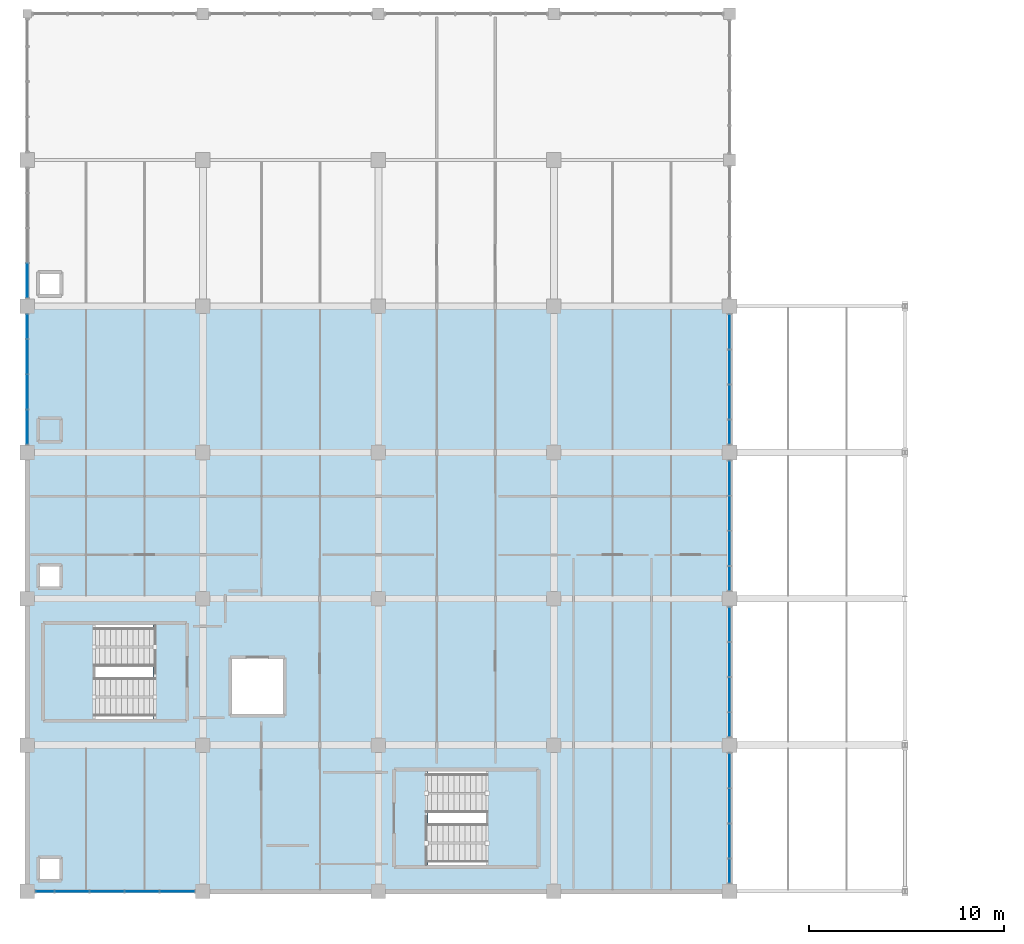
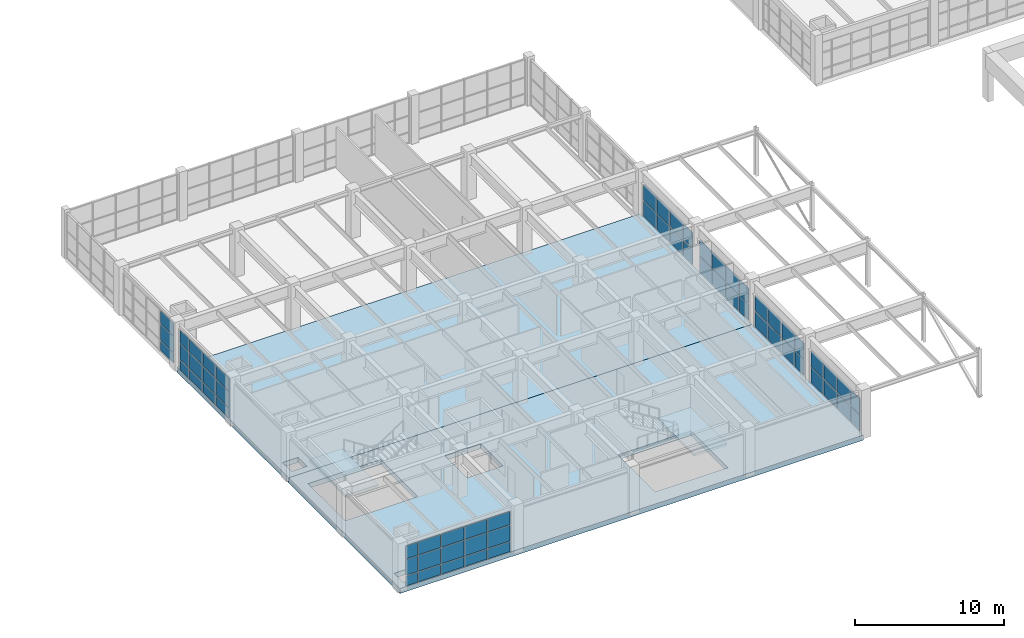
# One storey, part 44 of 76: 62 plates, 4 slabs, 9 elements without a shape of their own.
"""IFC4 building model written with IfcOpenShell, lengths in metres."""

from ifc_helpers import new_model, si_unit, direction, frame, origin, origin_2d, place, context, subcontext, project, spatial, polyline, rectangle, outline, extrude, material, layer, layer_set, type_object, element, aggregate, save


model = new_model("IFC4")

# Units and contexts
model_context = context("Model", 3, precision=1e-05, world=origin(), true_north=direction((0.0, 1.0)))
body_context = subcontext(model_context, "Body", "Model", "MODEL_VIEW")
ifc_project = project(units=[si_unit("LENGTHUNIT", "METRE"), si_unit("AREAUNIT", "SQUARE_METRE"), si_unit("VOLUMEUNIT", "CUBIC_METRE"), si_unit("PLANEANGLEUNIT", "RADIAN"), si_unit("MASSUNIT", "GRAM", prefix="KILO")], contexts=[model_context])

# Site, building, storey
site_placement = place(None, origin())
site = spatial("IfcSite", under=ifc_project, at=site_placement, CompositionType="ELEMENT")
building_placement = place(site_placement, origin())
building = spatial("IfcBuilding", under=site, at=building_placement, Name="Marnridge Secondary College", CompositionType="ELEMENT")
storey_placement = place(building_placement, frame((0.0, 0.0, 4.5)))
storey = spatial("IfcBuildingStorey", under=building, at=storey_placement, Name="L01", CompositionType="ELEMENT", Elevation=4.5)

# Curtain wall, plates
ifc_material_1 = material(Name="Bronze-anodised aluminium and solar-control glazing", Category="aluminium")
ifc_layer_1 = layer(ifc_material_1, 0.199951171875)
ifc_layer_set_1 = layer_set([ifc_layer_1], Name="CW-MOD-1800")
curtain_wall_type = type_object("IfcCurtainWallType", Name="CW-MOD-1800", PredefinedType="NOTDEFINED", material=ifc_layer_set_1)
curtain_wall_1_placement = place(storey_placement, origin())
curtain_wall_1 = element("IfcCurtainWall", 1, at=curtain_wall_1_placement, inside=storey, type_object=curtain_wall_type, Name="Unitised curtain wall CW-L01-065", PredefinedType="NOTDEFINED")
ifc_material_2 = material(Name="Acoustic laminated solar-control double glazing", Category="glass")
ifc_layer_2 = layer(ifc_material_2, 0.035888671875)
ifc_layer_set_2 = layer_set([ifc_layer_2], Name="CWP-GLZ36")
plate_type = type_object("IfcPlateType", Name="CWP-GLZ36", PredefinedType="CURTAIN_PANEL", material=ifc_layer_set_2)
plate_1_placement = place(storey_placement, frame((36.0, 28.68603515625, 0.06494140625), z_axis=(0.0, 0.0, 1.0), x_axis=(0.0, -1.0, 0.0)))
plate_1 = element("IfcPlate", 2, at=plate_1_placement, type_object=plate_type, Name="CW-L01-065 panel 1.1", PredefinedType="CURTAIN_PANEL", context=body_context, shape_type="SweptSolid", body=[
    extrude(rectangle(XDim=1.72998046875, YDim=0.035888671875, at=origin_2d()), origin(), (0.0, 0.0, 1.0), 1.28857421875),
])
plate_2_placement = place(storey_placement, frame((36.0, 28.68603515625, 1.41845703125), z_axis=(0.0, 0.0, 1.0), x_axis=(0.0, -1.0, 0.0)))
plate_2 = element("IfcPlate", 3, at=plate_2_placement, type_object=plate_type, Name="CW-L01-065 panel 1.2", PredefinedType="CURTAIN_PANEL", context=body_context, shape_type="SweptSolid", body=[
    extrude(rectangle(XDim=1.72998046875, YDim=0.035888671875, at=origin_2d()), origin(), (0.0, 0.0, 1.0), 1.28857421875),
])
plate_3_placement = place(storey_placement, frame((36.0, 26.885986328125, 0.06494140625), z_axis=(0.0, 0.0, 1.0), x_axis=(0.0, -1.0, 0.0)))
plate_3 = element("IfcPlate", 4, at=plate_3_placement, type_object=plate_type, Name="CW-L01-065 panel 2.1", PredefinedType="CURTAIN_PANEL", context=body_context, shape_type="SweptSolid", body=[
    extrude(rectangle(XDim=1.72998046875, YDim=0.035888671875, at=origin_2d()), origin(), (0.0, 0.0, 1.0), 1.28857421875),
])
plate_4_placement = place(storey_placement, frame((36.0, 26.885986328125, 1.41845703125), z_axis=(0.0, 0.0, 1.0), x_axis=(0.0, -1.0, 0.0)))
plate_4 = element("IfcPlate", 5, at=plate_4_placement, type_object=plate_type, Name="CW-L01-065 panel 2.2", PredefinedType="CURTAIN_PANEL", context=body_context, shape_type="SweptSolid", body=[
    extrude(rectangle(XDim=1.72998046875, YDim=0.035888671875, at=origin_2d()), origin(), (0.0, 0.0, 1.0), 1.28857421875),
])
plate_5_placement = place(storey_placement, frame((36.0, 25.0859375, 0.06494140625), z_axis=(0.0, 0.0, 1.0), x_axis=(0.0, -1.0, 0.0)))
plate_5 = element("IfcPlate", 6, at=plate_5_placement, type_object=plate_type, Name="CW-L01-065 panel 3.1", PredefinedType="CURTAIN_PANEL", context=body_context, shape_type="SweptSolid", body=[
    extrude(rectangle(XDim=1.72998046875, YDim=0.035888671875, at=origin_2d()), origin(), (0.0, 0.0, 1.0), 1.28857421875),
])
plate_6_placement = place(storey_placement, frame((36.0, 25.0859375, 1.41845703125), z_axis=(0.0, 0.0, 1.0), x_axis=(0.0, -1.0, 0.0)))
plate_6 = element("IfcPlate", 7, at=plate_6_placement, type_object=plate_type, Name="CW-L01-065 panel 3.2", PredefinedType="CURTAIN_PANEL", context=body_context, shape_type="SweptSolid", body=[
    extrude(rectangle(XDim=1.72998046875, YDim=0.035888671875, at=origin_2d()), origin(), (0.0, 0.0, 1.0), 1.28857421875),
])
plate_7_placement = place(storey_placement, frame((36.0, 23.550048828125, 0.06494140625), z_axis=(0.0, 0.0, 1.0), x_axis=(0.0, -1.0, 0.0)))
plate_7 = element("IfcPlate", 8, at=plate_7_placement, type_object=plate_type, Name="CW-L01-065 panel 4.1", PredefinedType="CURTAIN_PANEL", context=body_context, shape_type="SweptSolid", body=[
    extrude(rectangle(XDim=1.201904296875, YDim=0.035888671875, at=origin_2d()), origin(), (0.0, 0.0, 1.0), 1.28857421875),
])
plate_8_placement = place(storey_placement, frame((36.0, 23.550048828125, 1.41845703125), z_axis=(0.0, 0.0, 1.0), x_axis=(0.0, -1.0, 0.0)))
plate_8 = element("IfcPlate", 9, at=plate_8_placement, type_object=plate_type, Name="CW-L01-065 panel 4.2", PredefinedType="CURTAIN_PANEL", context=body_context, shape_type="SweptSolid", body=[
    extrude(rectangle(XDim=1.201904296875, YDim=0.035888671875, at=origin_2d()), origin(), (0.0, 0.0, 1.0), 1.28857421875),
])
aggregate(curtain_wall_1, [plate_1, plate_2, plate_3, plate_4, plate_5, plate_6, plate_7, plate_8])

curtain_wall_2_placement = place(storey_placement, origin())
curtain_wall_2 = element("IfcCurtainWall", 10, at=curtain_wall_2_placement, inside=storey, type_object=curtain_wall_type, Name="Unitised curtain wall CW-L01-066", PredefinedType="NOTDEFINED")
plate_9_placement = place(storey_placement, frame((36.0, 21.18603515625, 0.06494140625), z_axis=(0.0, 0.0, 1.0), x_axis=(0.0, -1.0, 0.0)))
plate_9 = element("IfcPlate", 11, at=plate_9_placement, type_object=plate_type, Name="CW-L01-066 panel 1.1", PredefinedType="CURTAIN_PANEL", context=body_context, shape_type="SweptSolid", body=[
    extrude(rectangle(XDim=1.72998046875, YDim=0.035888671875, at=origin_2d()), origin(), (0.0, 0.0, 1.0), 1.28857421875),
])
plate_10_placement = place(storey_placement, frame((36.0, 21.18603515625, 1.41845703125), z_axis=(0.0, 0.0, 1.0), x_axis=(0.0, -1.0, 0.0)))
plate_10 = element("IfcPlate", 12, at=plate_10_placement, type_object=plate_type, Name="CW-L01-066 panel 1.2", PredefinedType="CURTAIN_PANEL", context=body_context, shape_type="SweptSolid", body=[
    extrude(rectangle(XDim=1.72998046875, YDim=0.035888671875, at=origin_2d()), origin(), (0.0, 0.0, 1.0), 1.28857421875),
])
plate_11_placement = place(storey_placement, frame((36.0, 19.385986328125, 0.06494140625), z_axis=(0.0, 0.0, 1.0), x_axis=(0.0, -1.0, 0.0)))
plate_11 = element("IfcPlate", 13, at=plate_11_placement, type_object=plate_type, Name="CW-L01-066 panel 2.1", PredefinedType="CURTAIN_PANEL", context=body_context, shape_type="SweptSolid", body=[
    extrude(rectangle(XDim=1.72998046875, YDim=0.035888671875, at=origin_2d()), origin(), (0.0, 0.0, 1.0), 1.28857421875),
])
plate_12_placement = place(storey_placement, frame((36.0, 19.385986328125, 1.41845703125), z_axis=(0.0, 0.0, 1.0), x_axis=(0.0, -1.0, 0.0)))
plate_12 = element("IfcPlate", 14, at=plate_12_placement, type_object=plate_type, Name="CW-L01-066 panel 2.2", PredefinedType="CURTAIN_PANEL", context=body_context, shape_type="SweptSolid", body=[
    extrude(rectangle(XDim=1.72998046875, YDim=0.035888671875, at=origin_2d()), origin(), (0.0, 0.0, 1.0), 1.28857421875),
])
plate_13_placement = place(storey_placement, frame((36.0, 17.5859375, 0.06494140625), z_axis=(0.0, 0.0, 1.0), x_axis=(0.0, -1.0, 0.0)))
plate_13 = element("IfcPlate", 15, at=plate_13_placement, type_object=plate_type, Name="CW-L01-066 panel 3.1", PredefinedType="CURTAIN_PANEL", context=body_context, shape_type="SweptSolid", body=[
    extrude(rectangle(XDim=1.72998046875, YDim=0.035888671875, at=origin_2d()), origin(), (0.0, 0.0, 1.0), 1.28857421875),
])
plate_14_placement = place(storey_placement, frame((36.0, 17.5859375, 1.41845703125), z_axis=(0.0, 0.0, 1.0), x_axis=(0.0, -1.0, 0.0)))
plate_14 = element("IfcPlate", 16, at=plate_14_placement, type_object=plate_type, Name="CW-L01-066 panel 3.2", PredefinedType="CURTAIN_PANEL", context=body_context, shape_type="SweptSolid", body=[
    extrude(rectangle(XDim=1.72998046875, YDim=0.035888671875, at=origin_2d()), origin(), (0.0, 0.0, 1.0), 1.28857421875),
])
plate_15_placement = place(storey_placement, frame((36.0, 16.050048828125, 0.06494140625), z_axis=(0.0, 0.0, 1.0), x_axis=(0.0, -1.0, 0.0)))
plate_15 = element("IfcPlate", 17, at=plate_15_placement, type_object=plate_type, Name="CW-L01-066 panel 4.1", PredefinedType="CURTAIN_PANEL", context=body_context, shape_type="SweptSolid", body=[
    extrude(rectangle(XDim=1.201904296875, YDim=0.035888671875, at=origin_2d()), origin(), (0.0, 0.0, 1.0), 1.28857421875),
])
plate_16_placement = place(storey_placement, frame((36.0, 16.050048828125, 1.41845703125), z_axis=(0.0, 0.0, 1.0), x_axis=(0.0, -1.0, 0.0)))
plate_16 = element("IfcPlate", 18, at=plate_16_placement, type_object=plate_type, Name="CW-L01-066 panel 4.2", PredefinedType="CURTAIN_PANEL", context=body_context, shape_type="SweptSolid", body=[
    extrude(rectangle(XDim=1.201904296875, YDim=0.035888671875, at=origin_2d()), origin(), (0.0, 0.0, 1.0), 1.28857421875),
])
aggregate(curtain_wall_2, [plate_9, plate_10, plate_11, plate_12, plate_13, plate_14, plate_15, plate_16])

curtain_wall_3_placement = place(storey_placement, origin())
curtain_wall_3 = element("IfcCurtainWall", 19, at=curtain_wall_3_placement, inside=storey, type_object=curtain_wall_type, Name="Unitised curtain wall CW-L01-067", PredefinedType="NOTDEFINED")
plate_17_placement = place(storey_placement, frame((36.0, 13.68603515625, 0.06494140625), z_axis=(0.0, 0.0, 1.0), x_axis=(0.0, -1.0, 0.0)))
plate_17 = element("IfcPlate", 20, at=plate_17_placement, type_object=plate_type, Name="CW-L01-067 panel 1.1", PredefinedType="CURTAIN_PANEL", context=body_context, shape_type="SweptSolid", body=[
    extrude(rectangle(XDim=1.72998046875, YDim=0.035888671875, at=origin_2d()), origin(), (0.0, 0.0, 1.0), 1.28857421875),
])
plate_18_placement = place(storey_placement, frame((36.0, 13.68603515625, 1.41845703125), z_axis=(0.0, 0.0, 1.0), x_axis=(0.0, -1.0, 0.0)))
plate_18 = element("IfcPlate", 21, at=plate_18_placement, type_object=plate_type, Name="CW-L01-067 panel 1.2", PredefinedType="CURTAIN_PANEL", context=body_context, shape_type="SweptSolid", body=[
    extrude(rectangle(XDim=1.72998046875, YDim=0.035888671875, at=origin_2d()), origin(), (0.0, 0.0, 1.0), 1.28857421875),
])
plate_19_placement = place(storey_placement, frame((36.0, 11.885986328125, 0.06494140625), z_axis=(0.0, 0.0, 1.0), x_axis=(0.0, -1.0, 0.0)))
plate_19 = element("IfcPlate", 22, at=plate_19_placement, type_object=plate_type, Name="CW-L01-067 panel 2.1", PredefinedType="CURTAIN_PANEL", context=body_context, shape_type="SweptSolid", body=[
    extrude(rectangle(XDim=1.72998046875, YDim=0.035888671875, at=origin_2d()), origin(), (0.0, 0.0, 1.0), 1.28857421875),
])
plate_20_placement = place(storey_placement, frame((36.0, 11.885986328125, 1.41845703125), z_axis=(0.0, 0.0, 1.0), x_axis=(0.0, -1.0, 0.0)))
plate_20 = element("IfcPlate", 23, at=plate_20_placement, type_object=plate_type, Name="CW-L01-067 panel 2.2", PredefinedType="CURTAIN_PANEL", context=body_context, shape_type="SweptSolid", body=[
    extrude(rectangle(XDim=1.72998046875, YDim=0.035888671875, at=origin_2d()), origin(), (0.0, 0.0, 1.0), 1.28857421875),
])
plate_21_placement = place(storey_placement, frame((36.0, 10.0859375, 0.06494140625), z_axis=(0.0, 0.0, 1.0), x_axis=(0.0, -1.0, 0.0)))
plate_21 = element("IfcPlate", 24, at=plate_21_placement, type_object=plate_type, Name="CW-L01-067 panel 3.1", PredefinedType="CURTAIN_PANEL", context=body_context, shape_type="SweptSolid", body=[
    extrude(rectangle(XDim=1.72998046875, YDim=0.035888671875, at=origin_2d()), origin(), (0.0, 0.0, 1.0), 1.28857421875),
])
plate_22_placement = place(storey_placement, frame((36.0, 10.0859375, 1.41845703125), z_axis=(0.0, 0.0, 1.0), x_axis=(0.0, -1.0, 0.0)))
plate_22 = element("IfcPlate", 25, at=plate_22_placement, type_object=plate_type, Name="CW-L01-067 panel 3.2", PredefinedType="CURTAIN_PANEL", context=body_context, shape_type="SweptSolid", body=[
    extrude(rectangle(XDim=1.72998046875, YDim=0.035888671875, at=origin_2d()), origin(), (0.0, 0.0, 1.0), 1.28857421875),
])
plate_23_placement = place(storey_placement, frame((36.0, 8.550048828125, 0.06494140625), z_axis=(0.0, 0.0, 1.0), x_axis=(0.0, -1.0, 0.0)))
plate_23 = element("IfcPlate", 26, at=plate_23_placement, type_object=plate_type, Name="CW-L01-067 panel 4.1", PredefinedType="CURTAIN_PANEL", context=body_context, shape_type="SweptSolid", body=[
    extrude(rectangle(XDim=1.201904296875, YDim=0.035888671875, at=origin_2d()), origin(), (0.0, 0.0, 1.0), 1.28857421875),
])
plate_24_placement = place(storey_placement, frame((36.0, 8.550048828125, 1.41845703125), z_axis=(0.0, 0.0, 1.0), x_axis=(0.0, -1.0, 0.0)))
plate_24 = element("IfcPlate", 27, at=plate_24_placement, type_object=plate_type, Name="CW-L01-067 panel 4.2", PredefinedType="CURTAIN_PANEL", context=body_context, shape_type="SweptSolid", body=[
    extrude(rectangle(XDim=1.201904296875, YDim=0.035888671875, at=origin_2d()), origin(), (0.0, 0.0, 1.0), 1.28857421875),
])
aggregate(curtain_wall_3, [plate_17, plate_18, plate_19, plate_20, plate_21, plate_22, plate_23, plate_24])

curtain_wall_4_placement = place(storey_placement, origin())
curtain_wall_4 = element("IfcCurtainWall", 28, at=curtain_wall_4_placement, inside=storey, type_object=curtain_wall_type, Name="Unitised curtain wall CW-L01-068", PredefinedType="NOTDEFINED")
plate_25_placement = place(storey_placement, frame((36.0, 6.18603515625, 0.06494140625), z_axis=(0.0, 0.0, 1.0), x_axis=(0.0, -1.0, 0.0)))
plate_25 = element("IfcPlate", 29, at=plate_25_placement, type_object=plate_type, Name="CW-L01-068 panel 1.1", PredefinedType="CURTAIN_PANEL", context=body_context, shape_type="SweptSolid", body=[
    extrude(rectangle(XDim=1.72998046875, YDim=0.035888671875, at=origin_2d()), origin(), (0.0, 0.0, 1.0), 1.28857421875),
])
plate_26_placement = place(storey_placement, frame((36.0, 6.18603515625, 1.41845703125), z_axis=(0.0, 0.0, 1.0), x_axis=(0.0, -1.0, 0.0)))
plate_26 = element("IfcPlate", 30, at=plate_26_placement, type_object=plate_type, Name="CW-L01-068 panel 1.2", PredefinedType="CURTAIN_PANEL", context=body_context, shape_type="SweptSolid", body=[
    extrude(rectangle(XDim=1.72998046875, YDim=0.035888671875, at=origin_2d()), origin(), (0.0, 0.0, 1.0), 1.28857421875),
])
plate_27_placement = place(storey_placement, frame((36.0, 4.385986328125, 0.06494140625), z_axis=(0.0, 0.0, 1.0), x_axis=(0.0, -1.0, 0.0)))
plate_27 = element("IfcPlate", 31, at=plate_27_placement, type_object=plate_type, Name="CW-L01-068 panel 2.1", PredefinedType="CURTAIN_PANEL", context=body_context, shape_type="SweptSolid", body=[
    extrude(rectangle(XDim=1.72998046875, YDim=0.035888671875, at=origin_2d()), origin(), (0.0, 0.0, 1.0), 1.28857421875),
])
plate_28_placement = place(storey_placement, frame((36.0, 4.385986328125, 1.41845703125), z_axis=(0.0, 0.0, 1.0), x_axis=(0.0, -1.0, 0.0)))
plate_28 = element("IfcPlate", 32, at=plate_28_placement, type_object=plate_type, Name="CW-L01-068 panel 2.2", PredefinedType="CURTAIN_PANEL", context=body_context, shape_type="SweptSolid", body=[
    extrude(rectangle(XDim=1.72998046875, YDim=0.035888671875, at=origin_2d()), origin(), (0.0, 0.0, 1.0), 1.28857421875),
])
plate_29_placement = place(storey_placement, frame((36.0, 2.5859375, 0.06494140625), z_axis=(0.0, 0.0, 1.0), x_axis=(0.0, -1.0, 0.0)))
plate_29 = element("IfcPlate", 33, at=plate_29_placement, type_object=plate_type, Name="CW-L01-068 panel 3.1", PredefinedType="CURTAIN_PANEL", context=body_context, shape_type="SweptSolid", body=[
    extrude(rectangle(XDim=1.72998046875, YDim=0.035888671875, at=origin_2d()), origin(), (0.0, 0.0, 1.0), 1.28857421875),
])
plate_30_placement = place(storey_placement, frame((36.0, 2.5859375, 1.41845703125), z_axis=(0.0, 0.0, 1.0), x_axis=(0.0, -1.0, 0.0)))
plate_30 = element("IfcPlate", 34, at=plate_30_placement, type_object=plate_type, Name="CW-L01-068 panel 3.2", PredefinedType="CURTAIN_PANEL", context=body_context, shape_type="SweptSolid", body=[
    extrude(rectangle(XDim=1.72998046875, YDim=0.035888671875, at=origin_2d()), origin(), (0.0, 0.0, 1.0), 1.28857421875),
])
plate_31_placement = place(storey_placement, frame((36.0, 1.050048828125, 0.06494140625), z_axis=(0.0, 0.0, 1.0), x_axis=(0.0, -1.0, 0.0)))
plate_31 = element("IfcPlate", 35, at=plate_31_placement, type_object=plate_type, Name="CW-L01-068 panel 4.1", PredefinedType="CURTAIN_PANEL", context=body_context, shape_type="SweptSolid", body=[
    extrude(rectangle(XDim=1.201904296875, YDim=0.035888671875, at=origin_2d()), origin(), (0.0, 0.0, 1.0), 1.28857421875),
])
plate_32_placement = place(storey_placement, frame((36.0, 1.050048828125, 1.41845703125), z_axis=(0.0, 0.0, 1.0), x_axis=(0.0, -1.0, 0.0)))
plate_32 = element("IfcPlate", 36, at=plate_32_placement, type_object=plate_type, Name="CW-L01-068 panel 4.2", PredefinedType="CURTAIN_PANEL", context=body_context, shape_type="SweptSolid", body=[
    extrude(rectangle(XDim=1.201904296875, YDim=0.035888671875, at=origin_2d()), origin(), (0.0, 0.0, 1.0), 1.28857421875),
])
aggregate(curtain_wall_4, [plate_25, plate_26, plate_27, plate_28, plate_29, plate_30, plate_31, plate_32])

curtain_wall_5_placement = place(storey_placement, origin())
curtain_wall_5 = element("IfcCurtainWall", 37, at=curtain_wall_5_placement, inside=storey, type_object=curtain_wall_type, Name="Unitised curtain wall CW-L01-069", PredefinedType="NOTDEFINED")
plate_33_placement = place(storey_placement, frame((7.68603515625, 0.0, 0.06494140625), z_axis=(0.0, 0.0, 1.0), x_axis=(-1.0, 0.0, 0.0)))
plate_33 = element("IfcPlate", 38, at=plate_33_placement, type_object=plate_type, Name="CW-L01-069 panel 1.1", PredefinedType="CURTAIN_PANEL", context=body_context, shape_type="SweptSolid", body=[
    extrude(rectangle(XDim=1.72998046875, YDim=0.035888671875, at=origin_2d()), origin(), (0.0, 0.0, 1.0), 0.802490234375),
])
plate_34_placement = place(storey_placement, frame((7.68603515625, 0.0, 0.9326171875), z_axis=(0.0, 0.0, 1.0), x_axis=(-1.0, 0.0, 0.0)))
plate_34 = element("IfcPlate", 39, at=plate_34_placement, type_object=plate_type, Name="CW-L01-069 panel 1.2", PredefinedType="CURTAIN_PANEL", context=body_context, shape_type="SweptSolid", body=[
    extrude(rectangle(XDim=1.72998046875, YDim=0.035888671875, at=origin_2d()), origin(), (0.0, 0.0, 1.0), 1.284912109375),
])
plate_35_placement = place(storey_placement, frame((7.68603515625, 0.0, 2.282470703125), z_axis=(0.0, 0.0, 1.0), x_axis=(-1.0, 0.0, 0.0)))
plate_35 = element("IfcPlate", 40, at=plate_35_placement, type_object=plate_type, Name="CW-L01-069 panel 1.3", PredefinedType="CURTAIN_PANEL", context=body_context, shape_type="SweptSolid", body=[
    extrude(rectangle(XDim=1.72998046875, YDim=0.035888671875, at=origin_2d()), origin(), (0.0, 0.0, 1.0), 1.0625),
])
plate_36_placement = place(storey_placement, frame((5.885986328125, 0.0, 0.06494140625), z_axis=(0.0, 0.0, 1.0), x_axis=(-1.0, 0.0, 0.0)))
plate_36 = element("IfcPlate", 41, at=plate_36_placement, type_object=plate_type, Name="CW-L01-069 panel 2.1", PredefinedType="CURTAIN_PANEL", context=body_context, shape_type="SweptSolid", body=[
    extrude(rectangle(XDim=1.72998046875, YDim=0.035888671875, at=origin_2d()), origin(), (0.0, 0.0, 1.0), 0.802490234375),
])
plate_37_placement = place(storey_placement, frame((5.885986328125, 0.0, 0.9326171875), z_axis=(0.0, 0.0, 1.0), x_axis=(-1.0, 0.0, 0.0)))
plate_37 = element("IfcPlate", 42, at=plate_37_placement, type_object=plate_type, Name="CW-L01-069 panel 2.2", PredefinedType="CURTAIN_PANEL", context=body_context, shape_type="SweptSolid", body=[
    extrude(rectangle(XDim=1.72998046875, YDim=0.035888671875, at=origin_2d()), origin(), (0.0, 0.0, 1.0), 1.284912109375),
])
plate_38_placement = place(storey_placement, frame((5.885986328125, 0.0, 2.282470703125), z_axis=(0.0, 0.0, 1.0), x_axis=(-1.0, 0.0, 0.0)))
plate_38 = element("IfcPlate", 43, at=plate_38_placement, type_object=plate_type, Name="CW-L01-069 panel 2.3", PredefinedType="CURTAIN_PANEL", context=body_context, shape_type="SweptSolid", body=[
    extrude(rectangle(XDim=1.72998046875, YDim=0.035888671875, at=origin_2d()), origin(), (0.0, 0.0, 1.0), 1.0625),
])
plate_39_placement = place(storey_placement, frame((4.0859375, 0.0, 0.06494140625), z_axis=(0.0, 0.0, 1.0), x_axis=(-1.0, 0.0, 0.0)))
plate_39 = element("IfcPlate", 44, at=plate_39_placement, type_object=plate_type, Name="CW-L01-069 panel 3.1", PredefinedType="CURTAIN_PANEL", context=body_context, shape_type="SweptSolid", body=[
    extrude(rectangle(XDim=1.72998046875, YDim=0.035888671875, at=origin_2d()), origin(), (0.0, 0.0, 1.0), 0.802490234375),
])
plate_40_placement = place(storey_placement, frame((4.0859375, 0.0, 0.9326171875), z_axis=(0.0, 0.0, 1.0), x_axis=(-1.0, 0.0, 0.0)))
plate_40 = element("IfcPlate", 45, at=plate_40_placement, type_object=plate_type, Name="CW-L01-069 panel 3.2", PredefinedType="CURTAIN_PANEL", context=body_context, shape_type="SweptSolid", body=[
    extrude(rectangle(XDim=1.72998046875, YDim=0.035888671875, at=origin_2d()), origin(), (0.0, 0.0, 1.0), 1.284912109375),
])
plate_41_placement = place(storey_placement, frame((4.0859375, 0.0, 2.282470703125), z_axis=(0.0, 0.0, 1.0), x_axis=(-1.0, 0.0, 0.0)))
plate_41 = element("IfcPlate", 46, at=plate_41_placement, type_object=plate_type, Name="CW-L01-069 panel 3.3", PredefinedType="CURTAIN_PANEL", context=body_context, shape_type="SweptSolid", body=[
    extrude(rectangle(XDim=1.72998046875, YDim=0.035888671875, at=origin_2d()), origin(), (0.0, 0.0, 1.0), 1.0625),
])
plate_42_placement = place(storey_placement, frame((2.285888671875, 0.0, 0.06494140625), z_axis=(0.0, 0.0, 1.0), x_axis=(-1.0, 0.0, 0.0)))
plate_42 = element("IfcPlate", 47, at=plate_42_placement, type_object=plate_type, Name="CW-L01-069 panel 4.1", PredefinedType="CURTAIN_PANEL", context=body_context, shape_type="SweptSolid", body=[
    extrude(rectangle(XDim=1.72998046875, YDim=0.035888671875, at=origin_2d()), origin(), (0.0, 0.0, 1.0), 0.802490234375),
])
plate_43_placement = place(storey_placement, frame((2.285888671875, 0.0, 0.9326171875), z_axis=(0.0, 0.0, 1.0), x_axis=(-1.0, 0.0, 0.0)))
plate_43 = element("IfcPlate", 48, at=plate_43_placement, type_object=plate_type, Name="CW-L01-069 panel 4.2", PredefinedType="CURTAIN_PANEL", context=body_context, shape_type="SweptSolid", body=[
    extrude(rectangle(XDim=1.72998046875, YDim=0.035888671875, at=origin_2d()), origin(), (0.0, 0.0, 1.0), 1.284912109375),
])
plate_44_placement = place(storey_placement, frame((2.285888671875, 0.0, 2.282470703125), z_axis=(0.0, 0.0, 1.0), x_axis=(-1.0, 0.0, 0.0)))
plate_44 = element("IfcPlate", 49, at=plate_44_placement, type_object=plate_type, Name="CW-L01-069 panel 4.3", PredefinedType="CURTAIN_PANEL", context=body_context, shape_type="SweptSolid", body=[
    extrude(rectangle(XDim=1.72998046875, YDim=0.035888671875, at=origin_2d()), origin(), (0.0, 0.0, 1.0), 1.0625),
])
plate_45_placement = place(storey_placement, frame((0.89990234375, 0.0, 0.06494140625), z_axis=(0.0, 0.0, 1.0), x_axis=(-1.0, 0.0, 0.0)))
plate_45 = element("IfcPlate", 50, at=plate_45_placement, type_object=plate_type, Name="CW-L01-069 panel 5.1", PredefinedType="CURTAIN_PANEL", context=body_context, shape_type="SweptSolid", body=[
    extrude(rectangle(XDim=0.902099609375, YDim=0.035888671875, at=origin_2d()), origin(), (0.0, 0.0, 1.0), 0.802490234375),
])
plate_46_placement = place(storey_placement, frame((0.89990234375, 0.0, 0.9326171875), z_axis=(0.0, 0.0, 1.0), x_axis=(-1.0, 0.0, 0.0)))
plate_46 = element("IfcPlate", 51, at=plate_46_placement, type_object=plate_type, Name="CW-L01-069 panel 5.2", PredefinedType="CURTAIN_PANEL", context=body_context, shape_type="SweptSolid", body=[
    extrude(rectangle(XDim=0.902099609375, YDim=0.035888671875, at=origin_2d()), origin(), (0.0, 0.0, 1.0), 1.284912109375),
])
plate_47_placement = place(storey_placement, frame((0.89990234375, 0.0, 2.282470703125), z_axis=(0.0, 0.0, 1.0), x_axis=(-1.0, 0.0, 0.0)))
plate_47 = element("IfcPlate", 52, at=plate_47_placement, type_object=plate_type, Name="CW-L01-069 panel 5.3", PredefinedType="CURTAIN_PANEL", context=body_context, shape_type="SweptSolid", body=[
    extrude(rectangle(XDim=0.902099609375, YDim=0.035888671875, at=origin_2d()), origin(), (0.0, 0.0, 1.0), 1.0625),
])
aggregate(curtain_wall_5, [plate_33, plate_34, plate_35, plate_36, plate_37, plate_38, plate_39, plate_40, plate_41, plate_42, plate_43, plate_44, plate_45, plate_46, plate_47])

curtain_wall_6_placement = place(storey_placement, origin())
curtain_wall_6 = element("IfcCurtainWall", 53, at=curtain_wall_6_placement, inside=storey, type_object=curtain_wall_type, Name="Unitised curtain wall CW-L01-070", PredefinedType="NOTDEFINED")
plate_48_placement = place(storey_placement, frame((0.0, 23.81396484375, 0.06494140625), z_axis=(0.0, 0.0, 1.0), x_axis=(0.0, 1.0, 0.0)))
plate_48 = element("IfcPlate", 54, at=plate_48_placement, type_object=plate_type, Name="CW-L01-070 panel 1.1", PredefinedType="CURTAIN_PANEL", context=body_context, shape_type="SweptSolid", body=[
    extrude(rectangle(XDim=1.72998046875, YDim=0.035888671875, at=origin_2d()), origin(), (0.0, 0.0, 1.0), 0.802490234375),
])
plate_49_placement = place(storey_placement, frame((0.0, 23.81396484375, 0.9326171875), z_axis=(0.0, 0.0, 1.0), x_axis=(0.0, 1.0, 0.0)))
plate_49 = element("IfcPlate", 55, at=plate_49_placement, type_object=plate_type, Name="CW-L01-070 panel 1.2", PredefinedType="CURTAIN_PANEL", context=body_context, shape_type="SweptSolid", body=[
    extrude(rectangle(XDim=1.72998046875, YDim=0.035888671875, at=origin_2d()), origin(), (0.0, 0.0, 1.0), 1.284912109375),
])
plate_50_placement = place(storey_placement, frame((0.0, 23.81396484375, 2.282470703125), z_axis=(0.0, 0.0, 1.0), x_axis=(0.0, 1.0, 0.0)))
plate_50 = element("IfcPlate", 56, at=plate_50_placement, type_object=plate_type, Name="CW-L01-070 panel 1.3", PredefinedType="CURTAIN_PANEL", context=body_context, shape_type="SweptSolid", body=[
    extrude(rectangle(XDim=1.72998046875, YDim=0.035888671875, at=origin_2d()), origin(), (0.0, 0.0, 1.0), 1.0625),
])
plate_51_placement = place(storey_placement, frame((0.0, 25.614013671875, 0.06494140625), z_axis=(0.0, 0.0, 1.0), x_axis=(0.0, 1.0, 0.0)))
plate_51 = element("IfcPlate", 57, at=plate_51_placement, type_object=plate_type, Name="CW-L01-070 panel 2.1", PredefinedType="CURTAIN_PANEL", context=body_context, shape_type="SweptSolid", body=[
    extrude(rectangle(XDim=1.72998046875, YDim=0.035888671875, at=origin_2d()), origin(), (0.0, 0.0, 1.0), 0.802490234375),
])
plate_52_placement = place(storey_placement, frame((0.0, 25.614013671875, 0.9326171875), z_axis=(0.0, 0.0, 1.0), x_axis=(0.0, 1.0, 0.0)))
plate_52 = element("IfcPlate", 58, at=plate_52_placement, type_object=plate_type, Name="CW-L01-070 panel 2.2", PredefinedType="CURTAIN_PANEL", context=body_context, shape_type="SweptSolid", body=[
    extrude(rectangle(XDim=1.72998046875, YDim=0.035888671875, at=origin_2d()), origin(), (0.0, 0.0, 1.0), 1.284912109375),
])
plate_53_placement = place(storey_placement, frame((0.0, 25.614013671875, 2.282470703125), z_axis=(0.0, 0.0, 1.0), x_axis=(0.0, 1.0, 0.0)))
plate_53 = element("IfcPlate", 59, at=plate_53_placement, type_object=plate_type, Name="CW-L01-070 panel 2.3", PredefinedType="CURTAIN_PANEL", context=body_context, shape_type="SweptSolid", body=[
    extrude(rectangle(XDim=1.72998046875, YDim=0.035888671875, at=origin_2d()), origin(), (0.0, 0.0, 1.0), 1.0625),
])
plate_54_placement = place(storey_placement, frame((0.0, 27.4140625, 0.06494140625), z_axis=(0.0, 0.0, 1.0), x_axis=(0.0, 1.0, 0.0)))
plate_54 = element("IfcPlate", 60, at=plate_54_placement, type_object=plate_type, Name="CW-L01-070 panel 3.1", PredefinedType="CURTAIN_PANEL", context=body_context, shape_type="SweptSolid", body=[
    extrude(rectangle(XDim=1.72998046875, YDim=0.035888671875, at=origin_2d()), origin(), (0.0, 0.0, 1.0), 0.802490234375),
])
plate_55_placement = place(storey_placement, frame((0.0, 27.4140625, 0.9326171875), z_axis=(0.0, 0.0, 1.0), x_axis=(0.0, 1.0, 0.0)))
plate_55 = element("IfcPlate", 61, at=plate_55_placement, type_object=plate_type, Name="CW-L01-070 panel 3.2", PredefinedType="CURTAIN_PANEL", context=body_context, shape_type="SweptSolid", body=[
    extrude(rectangle(XDim=1.72998046875, YDim=0.035888671875, at=origin_2d()), origin(), (0.0, 0.0, 1.0), 1.284912109375),
])
plate_56_placement = place(storey_placement, frame((0.0, 27.4140625, 2.282470703125), z_axis=(0.0, 0.0, 1.0), x_axis=(0.0, 1.0, 0.0)))
plate_56 = element("IfcPlate", 62, at=plate_56_placement, type_object=plate_type, Name="CW-L01-070 panel 3.3", PredefinedType="CURTAIN_PANEL", context=body_context, shape_type="SweptSolid", body=[
    extrude(rectangle(XDim=1.72998046875, YDim=0.035888671875, at=origin_2d()), origin(), (0.0, 0.0, 1.0), 1.0625),
])
plate_57_placement = place(storey_placement, frame((0.0, 28.949951171875, 0.06494140625), z_axis=(0.0, 0.0, 1.0), x_axis=(0.0, 1.0, 0.0)))
plate_57 = element("IfcPlate", 63, at=plate_57_placement, type_object=plate_type, Name="CW-L01-070 panel 4.1", PredefinedType="CURTAIN_PANEL", context=body_context, shape_type="SweptSolid", body=[
    extrude(rectangle(XDim=1.201904296875, YDim=0.035888671875, at=origin_2d()), origin(), (0.0, 0.0, 1.0), 0.802490234375),
])
plate_58_placement = place(storey_placement, frame((0.0, 28.949951171875, 0.9326171875), z_axis=(0.0, 0.0, 1.0), x_axis=(0.0, 1.0, 0.0)))
plate_58 = element("IfcPlate", 64, at=plate_58_placement, type_object=plate_type, Name="CW-L01-070 panel 4.2", PredefinedType="CURTAIN_PANEL", context=body_context, shape_type="SweptSolid", body=[
    extrude(rectangle(XDim=1.201904296875, YDim=0.035888671875, at=origin_2d()), origin(), (0.0, 0.0, 1.0), 1.284912109375),
])
plate_59_placement = place(storey_placement, frame((0.0, 28.949951171875, 2.282470703125), z_axis=(0.0, 0.0, 1.0), x_axis=(0.0, 1.0, 0.0)))
plate_59 = element("IfcPlate", 65, at=plate_59_placement, type_object=plate_type, Name="CW-L01-070 panel 4.3", PredefinedType="CURTAIN_PANEL", context=body_context, shape_type="SweptSolid", body=[
    extrude(rectangle(XDim=1.201904296875, YDim=0.035888671875, at=origin_2d()), origin(), (0.0, 0.0, 1.0), 1.0625),
])
aggregate(curtain_wall_6, [plate_48, plate_49, plate_50, plate_51, plate_52, plate_53, plate_54, plate_55, plate_56, plate_57, plate_58, plate_59])

curtain_wall_7_placement = place(storey_placement, origin())
curtain_wall_7 = element("IfcCurtainWall", 66, at=curtain_wall_7_placement, inside=storey, type_object=curtain_wall_type, Name="Unitised curtain wall CW-L01-071", PredefinedType="NOTDEFINED")
plate_60_placement = place(storey_placement, frame((0.0, 31.31396484375, 0.06494140625), z_axis=(0.0, 0.0, 1.0), x_axis=(0.0, 1.0, 0.0)))
plate_60 = element("IfcPlate", 67, at=plate_60_placement, type_object=plate_type, Name="CW-L01-071 panel 1.1", PredefinedType="CURTAIN_PANEL", context=body_context, shape_type="SweptSolid", body=[
    extrude(rectangle(XDim=1.72998046875, YDim=0.035888671875, at=origin_2d()), origin(), (0.0, 0.0, 1.0), 0.802490234375),
])
plate_61_placement = place(storey_placement, frame((0.0, 31.31396484375, 0.9326171875), z_axis=(0.0, 0.0, 1.0), x_axis=(0.0, 1.0, 0.0)))
plate_61 = element("IfcPlate", 68, at=plate_61_placement, type_object=plate_type, Name="CW-L01-071 panel 1.2", PredefinedType="CURTAIN_PANEL", context=body_context, shape_type="SweptSolid", body=[
    extrude(rectangle(XDim=1.72998046875, YDim=0.035888671875, at=origin_2d()), origin(), (0.0, 0.0, 1.0), 1.284912109375),
])
plate_62_placement = place(storey_placement, frame((0.0, 31.31396484375, 2.282470703125), z_axis=(0.0, 0.0, 1.0), x_axis=(0.0, 1.0, 0.0)))
plate_62 = element("IfcPlate", 69, at=plate_62_placement, type_object=plate_type, Name="CW-L01-071 panel 1.3", PredefinedType="CURTAIN_PANEL", context=body_context, shape_type="SweptSolid", body=[
    extrude(rectangle(XDim=1.72998046875, YDim=0.035888671875, at=origin_2d()), origin(), (0.0, 0.0, 1.0), 1.0625),
])
aggregate(curtain_wall_7, [plate_60, plate_61, plate_62])

# Stair, slab
ifc_material_3 = material(Name="Concrete C40/50 (AS 3600 N40, 40 MPa)", Category="concrete")
stair_type = type_object("IfcStairType", Name="STC1", PredefinedType="HALF_TURN_STAIR", material=ifc_material_3)
stair_1_placement = place(storey_placement, origin())
stair_1 = element("IfcStair", 70, at=stair_1_placement, inside=storey, type_object=stair_type, Name="Fire-isolated stair ST-03-L01", PredefinedType="HALF_TURN_STAIR")
ifc_material_4 = material(Name="Concrete C40/50 (AS 3600 N40, 40 MPa)", Category="concrete")
ifc_layer_3 = layer(ifc_material_4, 0.199951171875)
ifc_layer_set_3 = layer_set([ifc_layer_3], Name="SL-LAND-200")
slab_type_1 = type_object("IfcSlabType", Name="SL-LAND-200", PredefinedType="LANDING", material=ifc_layer_set_3)
slab_1_placement = place(storey_placement, frame((0.0, 0.0, 1.800048828125)))
slab_1 = element("IfcSlab", 71, at=slab_1_placement, type_object=slab_type_1, Name="ST-03-L01 landing 1", PredefinedType="LANDING", context=body_context, shape_type="SweptSolid", body=[
    extrude(outline(polyline([(0.860107421875, 8.81005859375), (3.4150390625, 8.81005859375), (3.4150390625, 13.68994140625), (0.860107421875, 13.68994140625), (0.860107421875, 8.81005859375)])), origin(), (0.0, 0.0, 1.0), 0.199951171875),
])
aggregate(stair_1, [slab_1])

stair_2_placement = place(storey_placement, origin())
stair_2 = element("IfcStair", 72, at=stair_2_placement, inside=storey, type_object=stair_type, Name="Fire-isolated stair ST-04-L01", PredefinedType="HALF_TURN_STAIR")
slab_2_placement = place(storey_placement, frame((0.0, 0.0, 1.800048828125)))
slab_2 = element("IfcSlab", 73, at=slab_2_placement, type_object=slab_type_1, Name="ST-04-L01 landing 1", PredefinedType="LANDING", context=body_context, shape_type="SweptSolid", body=[
    extrude(outline(polyline([(23.5849609375, 1.31005859375), (26.139892578125, 1.31005859375), (26.139892578125, 6.18994140625), (23.5849609375, 6.18994140625), (23.5849609375, 1.31005859375)])), origin(), (0.0, 0.0, 1.0), 0.199951171875),
])
aggregate(stair_2, [slab_2])

# Slabs
ifc_material_5 = material(Name="Concrete C40/50 (AS 3600 N40, 40 MPa)", Category="concrete")
ifc_layer_4 = layer(ifc_material_5, 0.409912109375)
ifc_layer_set_4 = layer_set([ifc_layer_4], Name="SL-TRANS-410")
slab_type_2 = type_object("IfcSlabType", Name="SL-TRANS-410", PredefinedType="FLOOR", material=ifc_layer_set_4)
slab_3_placement = place(storey_placement, frame((0.0, 0.0, -0.409912109375)))
element("IfcSlab", 74, at=slab_3_placement, inside=storey, type_object=slab_type_2, Name="Floor slab SL-L01-022", PredefinedType="FLOOR", context=body_context, shape_type="SweptSolid", body=[
    extrude(outline(polyline([(36.0, 0.0), (0.0, 0.0), (0.0, 15.0), (36.0, 15.0), (36.0, 0.0)]), holes=[polyline([(0.800048828125, 8.75), (6.449951171875, 8.75), (6.449951171875, 13.75), (0.800048828125, 13.75), (0.800048828125, 8.75)]), polyline([(20.550048828125, 1.25), (26.199951171875, 1.25), (26.199951171875, 6.25), (20.550048828125, 6.25), (20.550048828125, 1.25)]), polyline([(10.39990234375, 9.0), (13.199951171875, 9.0), (13.199951171875, 12.0), (10.39990234375, 12.0), (10.39990234375, 9.0)]), polyline([(0.550048828125, 0.550048828125), (1.75, 0.550048828125), (1.75, 1.75), (0.550048828125, 1.75), (0.550048828125, 0.550048828125)])]), origin(), (0.0, 0.0, 1.0), 0.409912109375),
])
slab_4_placement = place(storey_placement, frame((0.0, 0.0, -0.409912109375)))
element("IfcSlab", 75, at=slab_4_placement, inside=storey, type_object=slab_type_2, Name="Floor slab SL-L01-023", PredefinedType="FLOOR", context=body_context, shape_type="SweptSolid", body=[
    extrude(outline(polyline([(36.0, 15.0), (0.0, 15.0), (0.0, 30.0), (36.0, 30.0), (36.0, 15.0)]), holes=[polyline([(0.550048828125, 15.550048828125), (1.75, 15.550048828125), (1.75, 16.75), (0.550048828125, 16.75), (0.550048828125, 15.550048828125)])]), origin(), (0.0, 0.0, 1.0), 0.409912109375),
])

save(model, "model.ifc")
